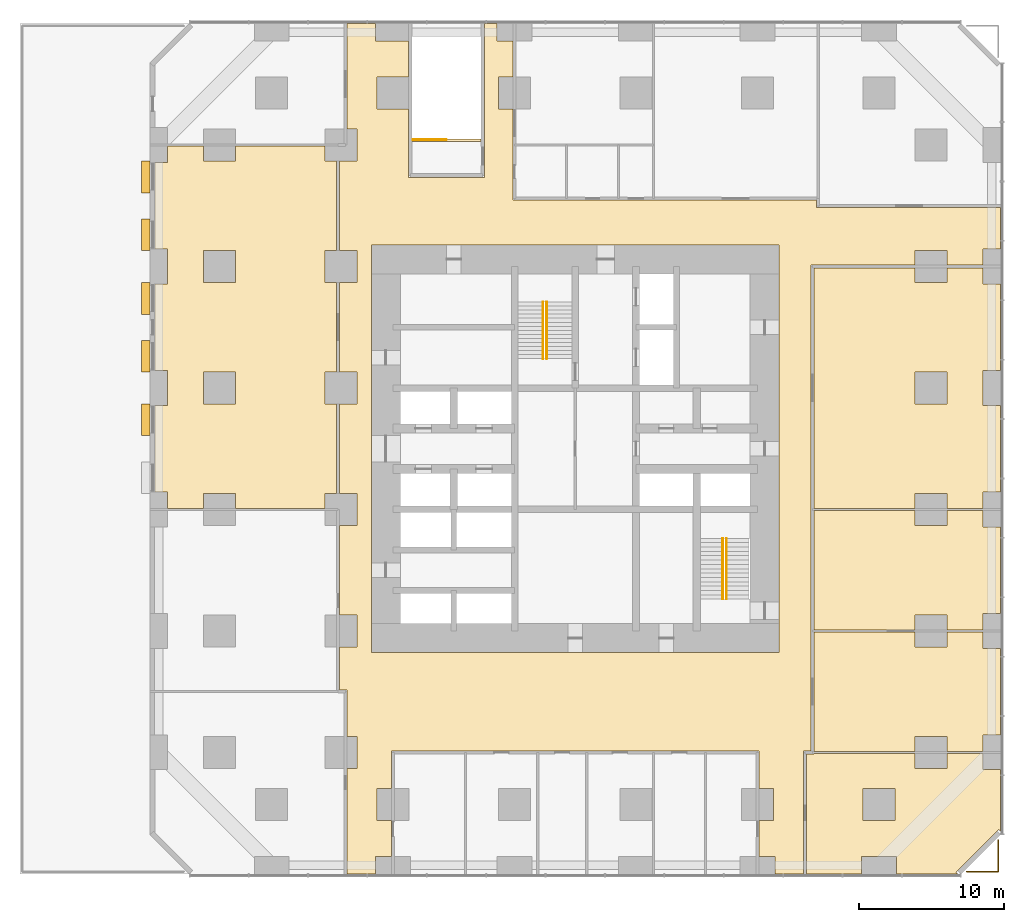
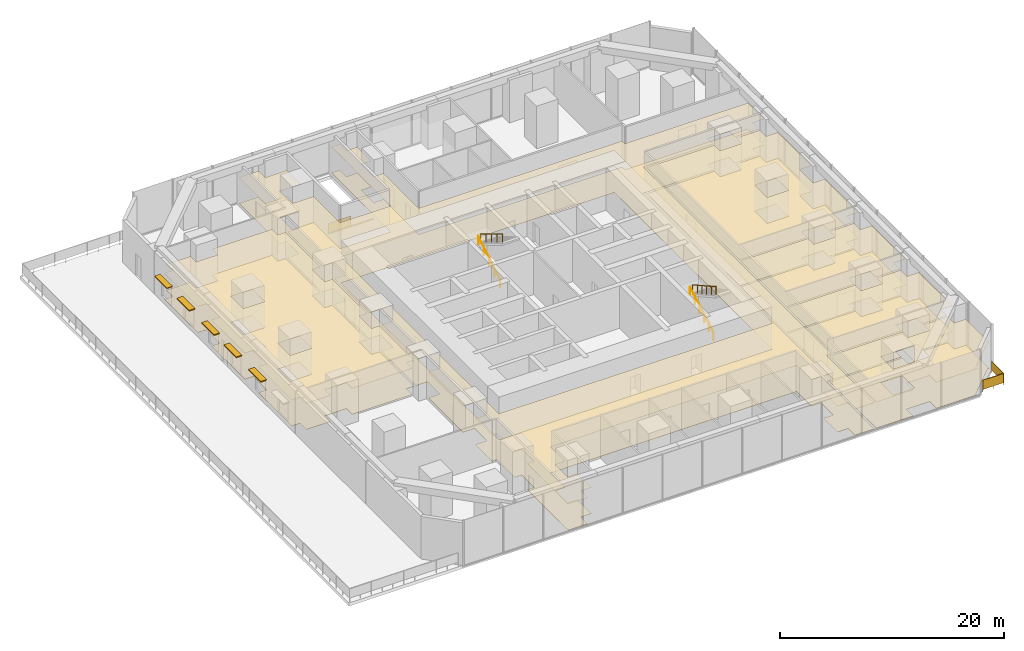
# One storey, part 11 of 12: 13 coverings, 6 railings, 5 shading devices.
"""IFC4 building model written with IfcOpenShell, lengths in metres."""

from ifc_helpers import new_model, si_unit, direction, frame, origin, origin_2d, place, context, subcontext, project, spatial, polyline, rectangle, circle, outline, extrude, material, layer, layer_set, type_object, element, save


model = new_model("IFC4")

# Units and contexts
model_context = context("Model", 3, precision=1e-05, world=origin(), true_north=direction((0.0, 1.0)))
body_context = subcontext(model_context, "Body", "Model", "MODEL_VIEW")
ifc_project = project(units=[si_unit("LENGTHUNIT", "METRE"), si_unit("AREAUNIT", "SQUARE_METRE"), si_unit("VOLUMEUNIT", "CUBIC_METRE"), si_unit("PLANEANGLEUNIT", "RADIAN"), si_unit("MASSUNIT", "GRAM", prefix="KILO")], contexts=[model_context])

# Site, building, storey
site_placement = place(None, origin())
site = spatial("IfcSite", under=ifc_project, at=site_placement, CompositionType="ELEMENT")
building_placement = place(site_placement, origin())
building = spatial("IfcBuilding", under=site, at=building_placement, Name="Dunama Terrace Hotel", CompositionType="ELEMENT")
storey_placement = place(building_placement, frame((0.0, 0.0, 22.0)))
storey = spatial("IfcBuildingStorey", under=building, at=storey_placement, Name="L04", CompositionType="ELEMENT", Elevation=22.0)

# Railings
ifc_material_1 = material(Name="Stainless steel and laminated glass guard", Category="steel")
railing_type_1 = type_object("IfcRailingType", Name="Guard 1100", PredefinedType="GUARDRAIL", material=ifc_material_1)
railing_1_placement = place(storey_placement, frame((56.4619140625, 0.14990234375, 0.220947265625)))
element("IfcRailing", 1, at=railing_1_placement, inside=storey, type_object=railing_type_1, Name="Terrace guard L04", PredefinedType="GUARDRAIL", context=body_context, shape_type="SweptSolid", body=[
    extrude(circle(Radius=0.02392578125, at=origin_2d()), frame((0.0, 0.0, 1.076171875), z_axis=(1.0, 0.0, 0.0), x_axis=(0.0, 1.0, 0.0)), (0.0, 0.0, 1.0), 2.18798828125),
    extrude(circle(Radius=0.02392578125, at=origin_2d()), frame((2.18798828125, 0.0, 1.076171875), z_axis=(0.0, 1.0, 0.0), x_axis=(-1.0, 0.0, 0.0)), (0.0, 0.0, 1.0), 2.18798828125),
    extrude(circle(Radius=0.02099609375, at=origin_2d()), frame((0.0, 0.0, -0.220947265625)), (0.0, 0.0, 1.0), 1.27294921875),
    extrude(circle(Radius=0.02099609375, at=origin_2d()), frame((1.093994140625, 0.0, -0.220947265625)), (0.0, 0.0, 1.0), 1.27294921875),
    extrude(circle(Radius=0.02099609375, at=origin_2d()), frame((2.18798828125, 0.0, -0.220947265625)), (0.0, 0.0, 1.0), 1.27294921875),
    extrude(circle(Radius=0.02099609375, at=origin_2d()), frame((2.18798828125, 1.093994140625, -0.220947265625)), (0.0, 0.0, 1.0), 1.27294921875),
    extrude(circle(Radius=0.02099609375, at=origin_2d()), frame((2.18798828125, 2.18798828125, -0.220947265625)), (0.0, 0.0, 1.0), 1.27294921875),
    extrude(outline(polyline([(0.0048828125, 0.050048828125), (1.089111328125, 0.050048828125), (1.089111328125, 1.076171875), (0.0048828125, 1.076171875), (0.0048828125, 0.050048828125)])), frame((0.0, 0.0087890625, 0.0), z_axis=(0.0, -1.0, 0.0), x_axis=(1.0, 0.0, 0.0)), (0.0, 0.0, 1.0), 0.017578125),
    extrude(outline(polyline([(0.0048828125, 0.050048828125), (1.089111328125, 0.050048828125), (1.089111328125, 1.076171875), (0.0048828125, 1.076171875), (0.0048828125, 0.050048828125)])), frame((1.093994140625, 0.0087890625, 0.0), z_axis=(0.0, -1.0, 0.0), x_axis=(1.0, 0.0, 0.0)), (0.0, 0.0, 1.0), 0.017578125),
    extrude(outline(polyline([(0.0048828125, 0.050048828125), (1.089111328125, 0.050048828125), (1.089111328125, 1.076171875), (0.0048828125, 1.076171875), (0.0048828125, 0.050048828125)])), frame((2.17919921875, 0.0, 0.0), z_axis=(1.0, 0.0, 0.0), x_axis=(0.0, 1.0, 0.0)), (0.0, 0.0, 1.0), 0.017578125),
    extrude(outline(polyline([(0.0048828125, 0.050048828125), (1.089111328125, 0.050048828125), (1.089111328125, 1.076171875), (0.0048828125, 1.076171875), (0.0048828125, 0.050048828125)])), frame((2.17919921875, 1.093994140625, 0.0), z_axis=(1.0, 0.0, 0.0), x_axis=(0.0, 1.0, 0.0)), (0.0, 0.0, 1.0), 0.017578125),
])
railing_2_placement = place(storey_placement, frame((18.175048828125, 50.77490234375, 0.030029296875)))
element("IfcRailing", 2, at=railing_2_placement, inside=storey, type_object=railing_type_1, Name="Stair well guard P5 L04", PredefinedType="GUARDRAIL", context=body_context, shape_type="SweptSolid", body=[
    extrude(circle(Radius=0.02392578125, at=origin_2d()), frame((0.0, 0.0, 1.076171875), z_axis=(1.0, 0.0, 0.0), x_axis=(0.0, 1.0, 0.0)), (0.0, 0.0, 1.0), 2.300048828125),
    extrude(circle(Radius=0.02099609375, at=origin_2d()), frame((0.0, 0.0, -0.030029296875)), (0.0, 0.0, 1.0), 1.08203125),
    extrude(circle(Radius=0.02099609375, at=origin_2d()), frame((1.14990234375, 0.0, -0.030029296875)), (0.0, 0.0, 1.0), 1.08203125),
    extrude(circle(Radius=0.02099609375, at=origin_2d()), frame((2.300048828125, 0.0, -0.030029296875)), (0.0, 0.0, 1.0), 1.08203125),
    extrude(outline(polyline([(0.0048828125, 0.050048828125), (1.14501953125, 0.050048828125), (1.14501953125, 1.076171875), (0.0048828125, 1.076171875), (0.0048828125, 0.050048828125)])), frame((0.0, 0.0087890625, 0.0), z_axis=(0.0, -1.0, 0.0), x_axis=(1.0, 0.0, 0.0)), (0.0, 0.0, 1.0), 0.017578125),
    extrude(outline(polyline([(0.0048828125, 0.050048828125), (1.14501953125, 0.050048828125), (1.14501953125, 1.076171875), (0.0048828125, 1.076171875), (0.0048828125, 0.050048828125)])), frame((1.14990234375, 0.0087890625, 0.0), z_axis=(0.0, -1.0, 0.0), x_axis=(1.0, 0.0, 0.0)), (0.0, 0.0, 1.0), 0.017578125),
])
ifc_material_2 = material(Name="Stainless steel handrail", Category="steel")
railing_type_2 = type_object("IfcRailingType", Name="Stair handrail 900", PredefinedType="HANDRAIL", material=ifc_material_2)
railing_3_placement = place(storey_placement, frame((27.175048828125, 35.625, 0.166748046875)))
element("IfcRailing", 3, at=railing_3_placement, inside=storey, type_object=railing_type_2, Name="Handrail ST1 L04", PredefinedType="HANDRAIL", context=body_context, shape_type="SweptSolid", body=[
    extrude(circle(Radius=0.02392578125, at=origin_2d()), frame((0.0, 0.0, 0.8759765625), z_axis=(0.0, 0.859296244711, 0.511478214419), x_axis=(-1.0, 0.0, 0.0)), (0.0, 0.0, 1.0), 4.561767578125),
    extrude(circle(Radius=0.02099609375, at=origin_2d()), origin(), (0.0, 0.0, 1.0), 0.851806640625),
    extrude(circle(Radius=0.02099609375, at=origin_2d()), frame((0.0, 0.97998046875, 0.583251953125)), (0.0, 0.0, 1.0), 0.851806640625),
    extrude(circle(Radius=0.02099609375, at=origin_2d()), frame((0.0, 1.9599609375, 1.16650390625)), (0.0, 0.0, 1.0), 0.851806640625),
    extrude(circle(Radius=0.02099609375, at=origin_2d()), frame((0.0, 2.93994140625, 1.75)), (0.0, 0.0, 1.0), 0.851806640625),
    extrude(circle(Radius=0.02099609375, at=origin_2d()), frame((0.0, 3.919921875, 2.333251953125)), (0.0, 0.0, 1.0), 0.851806640625),
])
railing_4_placement = place(storey_placement, frame((27.425048828125, 39.544921875, 2.666748046875)))
element("IfcRailing", 4, at=railing_4_placement, inside=storey, type_object=railing_type_2, Name="Handrail ST1 L04", PredefinedType="HANDRAIL", context=body_context, shape_type="SweptSolid", body=[
    extrude(circle(Radius=0.02392578125, at=origin_2d()), frame((0.0, 0.0, 0.8759765625), z_axis=(0.0, -0.859296244711, 0.511478214419), x_axis=(1.0, 0.0, 0.0)), (0.0, 0.0, 1.0), 4.561767578125),
    extrude(circle(Radius=0.02099609375, at=origin_2d()), origin(), (0.0, 0.0, 1.0), 0.851806640625),
    extrude(circle(Radius=0.02099609375, at=origin_2d()), frame((0.0, -0.97998046875, 0.583251953125)), (0.0, 0.0, 1.0), 0.851806640625),
    extrude(circle(Radius=0.02099609375, at=origin_2d()), frame((0.0, -1.9599609375, 1.16650390625)), (0.0, 0.0, 1.0), 0.851806640625),
    extrude(circle(Radius=0.02099609375, at=origin_2d()), frame((0.0, -2.93994140625, 1.75)), (0.0, 0.0, 1.0), 0.851806640625),
    extrude(circle(Radius=0.02099609375, at=origin_2d()), frame((0.0, -3.919921875, 2.333251953125)), (0.0, 0.0, 1.0), 0.851806640625),
])
railing_5_placement = place(storey_placement, frame((39.60009765625, 19.0, 0.166748046875)))
element("IfcRailing", 5, at=railing_5_placement, inside=storey, type_object=railing_type_2, Name="Handrail ST2 L04", PredefinedType="HANDRAIL", context=body_context, shape_type="SweptSolid", body=[
    extrude(circle(Radius=0.02392578125, at=origin_2d()), frame((0.0, 0.0, 0.8759765625), z_axis=(0.0, 0.874162069901, 0.485634302275), x_axis=(-1.0, 0.0, 0.0)), (0.0, 0.0, 1.0), 4.804443359375),
    extrude(circle(Radius=0.02099609375, at=origin_2d()), origin(), (0.0, 0.0, 1.0), 0.851806640625),
    extrude(circle(Radius=0.02099609375, at=origin_2d()), frame((0.0, 0.840087890625, 0.466552734375)), (0.0, 0.0, 1.0), 0.851806640625),
    extrude(circle(Radius=0.02099609375, at=origin_2d()), frame((0.0, 1.679931640625, 0.933349609375)), (0.0, 0.0, 1.0), 0.851806640625),
    extrude(circle(Radius=0.02099609375, at=origin_2d()), frame((0.0, 2.52001953125, 1.39990234375)), (0.0, 0.0, 1.0), 0.851806640625),
    extrude(circle(Radius=0.02099609375, at=origin_2d()), frame((0.0, 3.35986328125, 1.86669921875)), (0.0, 0.0, 1.0), 0.851806640625),
    extrude(circle(Radius=0.02099609375, at=origin_2d()), frame((0.0, 4.199951171875, 2.333251953125)), (0.0, 0.0, 1.0), 0.851806640625),
])
railing_6_placement = place(storey_placement, frame((39.85009765625, 23.199951171875, 2.666748046875)))
element("IfcRailing", 6, at=railing_6_placement, inside=storey, type_object=railing_type_2, Name="Handrail ST2 L04", PredefinedType="HANDRAIL", context=body_context, shape_type="SweptSolid", body=[
    extrude(circle(Radius=0.02392578125, at=origin_2d()), frame((0.0, 0.0, 0.8759765625), z_axis=(0.0, -0.874162069901, 0.485634302275), x_axis=(1.0, 0.0, 0.0)), (0.0, 0.0, 1.0), 4.804443359375),
    extrude(circle(Radius=0.02099609375, at=origin_2d()), origin(), (0.0, 0.0, 1.0), 0.851806640625),
    extrude(circle(Radius=0.02099609375, at=origin_2d()), frame((0.0, -0.840087890625, 0.466552734375)), (0.0, 0.0, 1.0), 0.851806640625),
    extrude(circle(Radius=0.02099609375, at=origin_2d()), frame((0.0, -1.679931640625, 0.933349609375)), (0.0, 0.0, 1.0), 0.851806640625),
    extrude(circle(Radius=0.02099609375, at=origin_2d()), frame((0.0, -2.52001953125, 1.39990234375)), (0.0, 0.0, 1.0), 0.851806640625),
    extrude(circle(Radius=0.02099609375, at=origin_2d()), frame((0.0, -3.35986328125, 1.86669921875)), (0.0, 0.0, 1.0), 0.851806640625),
    extrude(circle(Radius=0.02099609375, at=origin_2d()), frame((0.0, -4.199951171875, 2.333251953125)), (0.0, 0.0, 1.0), 0.851806640625),
])

# Coverings
ifc_material_3 = material(Name="Natural stone floor tiles", Category="masonry")
ifc_layer_1 = layer(ifc_material_3, 0.030029296875)
ifc_layer_set_1 = layer_set([ifc_layer_1], Name="Stone floor finish 30")
covering_type_1 = type_object("IfcCoveringType", Name="Stone floor finish 30", PredefinedType="FLOORING", material=ifc_layer_set_1)
covering_1_placement = place(storey_placement, origin())
element("IfcCovering", 7, at=covering_1_placement, inside=storey, type_object=covering_type_1, Name="Stair threshold P5 L04", PredefinedType="FLOORING", context=body_context, shape_type="SweptSolid", body=[
    extrude(outline(polyline([(22.875, 50.659912109375), (22.875, 50.824951171875), (18.125, 50.824951171875), (18.125, 50.659912109375), (22.875, 50.659912109375)])), origin(), (0.0, 0.0, 1.0), 0.030029296875),
])
covering_2_placement = place(storey_placement, origin())
element("IfcCovering", 8, at=covering_2_placement, inside=storey, type_object=covering_type_1, Name="Floor finish L04-17", PredefinedType="FLOORING", context=body_context, shape_type="SweptSolid", body=[
    extrude(outline(polyline([(1.199951171875, 25.27490234375), (3.699951171875, 25.27490234375), (3.699951171875, 26.300048828125), (5.89990234375, 26.300048828125), (5.89990234375, 25.27490234375), (12.10009765625, 25.27490234375), (12.10009765625, 26.300048828125), (12.89990234375, 26.300048828125), (12.89990234375, 32.5), (12.10009765625, 32.5), (12.10009765625, 34.699951171875), (12.89990234375, 34.699951171875), (12.89990234375, 40.89990234375), (12.10009765625, 40.89990234375), (12.10009765625, 43.10009765625), (12.89990234375, 43.10009765625), (12.89990234375, 49.300048828125), (12.10009765625, 49.300048828125), (12.10009765625, 50.324951171875), (5.89990234375, 50.324951171875), (5.89990234375, 49.300048828125), (3.699951171875, 49.300048828125), (3.699951171875, 50.324951171875), (1.199951171875, 50.324951171875), (1.199951171875, 49.199951171875), (0.35009765625, 49.199951171875), (0.35009765625, 43.199951171875), (1.199951171875, 43.199951171875), (1.199951171875, 40.800048828125), (0.35009765625, 40.800048828125), (0.35009765625, 34.800048828125), (1.199951171875, 34.800048828125), (1.199951171875, 32.39990234375), (0.35009765625, 32.39990234375), (0.35009765625, 26.39990234375), (1.199951171875, 26.39990234375), (1.199951171875, 25.27490234375)]), holes=[polyline([(3.699951171875, 34.699951171875), (5.89990234375, 34.699951171875), (5.89990234375, 32.5), (3.699951171875, 32.5), (3.699951171875, 34.699951171875)]), polyline([(3.699951171875, 43.10009765625), (5.89990234375, 43.10009765625), (5.89990234375, 40.89990234375), (3.699951171875, 40.89990234375), (3.699951171875, 43.10009765625)])]), origin(), (0.0, 0.0, 1.0), 0.030029296875),
])
covering_3_placement = place(storey_placement, origin())
element("IfcCovering", 9, at=covering_3_placement, inside=storey, type_object=covering_type_1, Name="Floor finish L04-18", PredefinedType="FLOORING", context=body_context, shape_type="SweptSolid", body=[
    extrude(outline(polyline([(58.800048828125, 34.800048828125), (58.800048828125, 40.800048828125), (57.60009765625, 40.800048828125), (57.60009765625, 41.89990234375), (55.10009765625, 41.89990234375), (55.10009765625, 40.89990234375), (52.89990234375, 40.89990234375), (52.89990234375, 41.89990234375), (45.89990234375, 41.89990234375), (45.89990234375, 25.27490234375), (52.89990234375, 25.27490234375), (52.89990234375, 26.300048828125), (55.10009765625, 26.300048828125), (55.10009765625, 25.27490234375), (57.60009765625, 25.27490234375), (57.60009765625, 26.39990234375), (58.800048828125, 26.39990234375), (58.800048828125, 32.39990234375), (57.60009765625, 32.39990234375), (57.60009765625, 34.800048828125), (58.800048828125, 34.800048828125)]), holes=[polyline([(52.89990234375, 34.699951171875), (55.10009765625, 34.699951171875), (55.10009765625, 32.5), (52.89990234375, 32.5), (52.89990234375, 34.699951171875)])]), origin(), (0.0, 0.0, 1.0), 0.030029296875),
])
covering_4_placement = place(storey_placement, origin())
element("IfcCovering", 10, at=covering_4_placement, inside=storey, type_object=covering_type_1, Name="Floor finish L04-21", PredefinedType="FLOORING", context=body_context, shape_type="SweptSolid", body=[
    extrude(outline(polyline([(58.800048828125, 9.60009765625), (58.800048828125, 15.60009765625), (57.60009765625, 15.60009765625), (57.60009765625, 16.72509765625), (55.10009765625, 16.72509765625), (55.10009765625, 15.699951171875), (52.89990234375, 15.699951171875), (52.89990234375, 16.72509765625), (45.89990234375, 16.72509765625), (45.89990234375, 8.5), (45.89990234375, 8.47509765625), (52.89990234375, 8.47509765625), (52.89990234375, 9.5), (55.10009765625, 9.5), (55.10009765625, 8.47509765625), (57.60009765625, 8.47509765625), (57.60009765625, 9.60009765625), (58.800048828125, 9.60009765625)])), origin(), (0.0, 0.0, 1.0), 0.030029296875),
])
covering_5_placement = place(storey_placement, origin())
element("IfcCovering", 11, at=covering_5_placement, inside=storey, type_object=covering_type_1, Name="Floor finish L04-22", PredefinedType="FLOORING", context=body_context, shape_type="SweptSolid", body=[
    extrude(outline(polyline([(58.800048828125, 18.0), (58.800048828125, 24.0), (57.60009765625, 24.0), (57.60009765625, 25.125), (55.10009765625, 25.125), (55.10009765625, 24.10009765625), (52.89990234375, 24.10009765625), (52.89990234375, 25.125), (45.89990234375, 25.125), (45.89990234375, 16.875), (52.89990234375, 16.875), (52.89990234375, 17.89990234375), (55.10009765625, 17.89990234375), (55.10009765625, 16.875), (57.60009765625, 16.875), (57.60009765625, 18.0), (58.800048828125, 18.0)])), origin(), (0.0, 0.0, 1.0), 0.030029296875),
])
covering_6_placement = place(storey_placement, origin())
element("IfcCovering", 12, at=covering_6_placement, inside=storey, type_object=covering_type_1, Name="Floor finish L04-32", PredefinedType="FLOORING", context=body_context, shape_type="SweptSolid", body=[
    extrude(outline(polyline([(51.60009765625, 0.0), (55.8525390625, 0.0), (55.728515625, 0.1240234375), (58.55224609375, 2.94775390625), (58.676025390625, 3.071533203125), (58.800048828125, 2.947509765625), (58.800048828125, 7.199951171875), (57.60009765625, 7.199951171875), (57.60009765625, 8.324951171875), (55.10009765625, 8.324951171875), (55.10009765625, 7.300048828125), (52.89990234375, 7.300048828125), (52.89990234375, 8.324951171875), (45.89990234375, 8.324951171875), (45.89990234375, 8.300048828125), (45.699951171875, 8.300048828125), (45.39990234375, 8.300048828125), (45.39990234375, 0.0), (49.199951171875, 0.0), (49.199951171875, 1.199951171875), (51.60009765625, 1.199951171875), (51.60009765625, 0.0)]), holes=[polyline([(49.300048828125, 5.89990234375), (51.5, 5.89990234375), (51.5, 3.699951171875), (49.300048828125, 3.699951171875), (49.300048828125, 5.89990234375)])]), origin(), (0.0, 0.0, 1.0), 0.030029296875),
])
covering_7_placement = place(storey_placement, origin())
element("IfcCovering", 13, at=covering_7_placement, inside=storey, type_object=covering_type_1, Name="Floor finish L04-37", PredefinedType="FLOORING", context=body_context, shape_type="SweptSolid", body=[
    extrude(outline(polyline([(15.60009765625, 58.800048828125), (13.60009765625, 58.800048828125), (13.60009765625, 51.5), (14.300048828125, 51.5), (14.300048828125, 49.300048828125), (13.10009765625, 49.300048828125), (13.10009765625, 43.10009765625), (14.300048828125, 43.10009765625), (14.300048828125, 40.89990234375), (13.10009765625, 40.89990234375), (13.10009765625, 34.699951171875), (14.300048828125, 34.699951171875), (14.300048828125, 32.5), (13.10009765625, 32.5), (13.10009765625, 26.300048828125), (14.300048828125, 26.300048828125), (14.300048828125, 24.10009765625), (13.10009765625, 24.10009765625), (13.10009765625, 17.89990234375), (14.300048828125, 17.89990234375), (14.300048828125, 15.699951171875), (13.10009765625, 15.699951171875), (13.10009765625, 12.699951171875), (13.39990234375, 12.699951171875), (13.5, 12.699951171875), (13.60009765625, 12.699951171875), (13.60009765625, 12.5), (13.60009765625, 9.5), (14.300048828125, 9.5), (14.300048828125, 7.300048828125), (13.60009765625, 7.300048828125), (13.60009765625, 0.0), (15.60009765625, 0.0), (15.60009765625, 1.199951171875), (16.699951171875, 1.199951171875), (16.699951171875, 3.699951171875), (15.699951171875, 3.699951171875), (15.699951171875, 5.89990234375), (16.699951171875, 5.89990234375), (16.699951171875, 8.300048828125), (16.699951171875, 8.39990234375), (16.699951171875, 8.5), (16.89990234375, 8.5), (41.89990234375, 8.5), (42.0, 8.5), (42.10009765625, 8.5), (42.10009765625, 8.300048828125), (42.10009765625, 5.89990234375), (43.10009765625, 5.89990234375), (43.10009765625, 3.699951171875), (42.10009765625, 3.699951171875), (42.10009765625, 1.199951171875), (43.199951171875, 1.199951171875), (43.199951171875, 0.0), (45.199951171875, 0.0), (45.199951171875, 8.300048828125), (45.199951171875, 8.39990234375), (45.199951171875, 8.5), (45.39990234375, 8.5), (45.699951171875, 8.5), (45.699951171875, 41.89990234375), (45.699951171875, 42.0), (45.699951171875, 42.10009765625), (45.89990234375, 42.10009765625), (52.89990234375, 42.10009765625), (52.89990234375, 43.10009765625), (55.10009765625, 43.10009765625), (55.10009765625, 42.10009765625), (57.60009765625, 42.10009765625), (57.60009765625, 43.199951171875), (58.800048828125, 43.199951171875), (58.800048828125, 46.10009765625), (46.300048828125, 46.10009765625), (46.199951171875, 46.10009765625), (46.10009765625, 46.10009765625), (46.10009765625, 46.300048828125), (46.10009765625, 46.60009765625), (25.300048828125, 46.60009765625), (25.199951171875, 46.60009765625), (25.10009765625, 46.60009765625), (25.10009765625, 46.800048828125), (25.10009765625, 52.89990234375), (24.10009765625, 52.89990234375), (24.10009765625, 55.10009765625), (25.10009765625, 55.10009765625), (25.10009765625, 57.60009765625), (24.0, 57.60009765625), (24.0, 58.800048828125), (23.125, 58.800048828125), (23.125, 48.425048828125), (23.125, 48.300048828125), (23.125, 48.175048828125), (22.875, 48.175048828125), (18.125, 48.175048828125), (18.0, 48.175048828125), (17.875, 48.175048828125), (17.875, 48.425048828125), (17.875, 52.89990234375), (15.699951171875, 52.89990234375), (15.699951171875, 55.10009765625), (17.875, 55.10009765625), (17.875, 57.60009765625), (15.60009765625, 57.60009765625), (15.60009765625, 58.800048828125)]), holes=[polyline([(17.300048828125, 15.300048828125), (16.300048828125, 15.300048828125), (15.300048828125, 15.300048828125), (15.300048828125, 17.300048828125), (15.300048828125, 41.5), (15.300048828125, 42.5), (15.300048828125, 43.5), (17.300048828125, 43.5), (41.5, 43.5), (42.5, 43.5), (43.5, 43.5), (43.5, 41.5), (43.5, 17.300048828125), (43.5, 16.300048828125), (43.5, 15.300048828125), (41.5, 15.300048828125), (17.300048828125, 15.300048828125)])]), origin(), (0.0, 0.0, 1.0), 0.030029296875),
])

# Shading devices
ifc_material_4 = material(Name="Precast stone sunshade", Category="masonry")
ifc_layer_2 = layer(ifc_material_4, 0.10009765625)
ifc_layer_set_2 = layer_set([ifc_layer_2], Name="Stone sunshade 600")
shading_device_type = type_object("IfcShadingDeviceType", Name="Stone sunshade 600", PredefinedType="USERDEFINED", material=ifc_layer_set_2)
for number, where, z_axis, x_axis, name in (
    (14, (-0.300048828125, 31.39990234375, 2.75), (0.0, 0.0, 1.0), (0.0, -1.0, 0.0), "Sunshade L04"),
    (15, (-0.300048828125, 35.800048828125, 2.75), (0.0, 0.0, 1.0), (0.0, -1.0, 0.0), "Sunshade L04"),
    (16, (-0.300048828125, 39.800048828125, 2.75), (0.0, 0.0, 1.0), (0.0, -1.0, 0.0), "Sunshade L04"),
    (17, (-0.300048828125, 44.199951171875, 2.75), (0.0, 0.0, 1.0), (0.0, -1.0, 0.0), "Sunshade L04"),
    (18, (-0.300048828125, 48.199951171875, 2.75), (0.0, 0.0, 1.0), (0.0, -1.0, 0.0), "Sunshade L04"),
):
    element("IfcShadingDevice", number, at=place(storey_placement, frame(where, z_axis=z_axis, x_axis=x_axis)), inside=storey, type_object=shading_device_type, Name=name, ObjectType="SUNSHADE", PredefinedType="USERDEFINED", context=body_context, shape_type="SweptSolid", body=[
        extrude(rectangle(XDim=2.199951171875, YDim=0.60009765625, at=origin_2d()), origin(), (0.0, 0.0, 1.0), 0.10009765625),
    ])

# Coverings
ifc_material_5 = material(Name="Gypsum plasterboard ceiling")
ifc_layer_3 = layer(ifc_material_5, 0.02001953125)
ifc_layer_set_3 = layer_set([ifc_layer_3], Name="Suspended ceiling 20")
covering_type_2 = type_object("IfcCoveringType", Name="Suspended ceiling 20", PredefinedType="CEILING", material=ifc_layer_set_3)
covering_8_placement = place(storey_placement, frame((0.0, 0.0, 2.85009765625)))
element("IfcCovering", 19, at=covering_8_placement, inside=storey, type_object=covering_type_2, Name="Ceiling L04-17", PredefinedType="CEILING", context=body_context, shape_type="SweptSolid", body=[
    extrude(outline(polyline([(1.199951171875, 26.39990234375), (1.199951171875, 25.27490234375), (3.699951171875, 25.27490234375), (3.699951171875, 26.300048828125), (5.89990234375, 26.300048828125), (5.89990234375, 25.27490234375), (12.10009765625, 25.27490234375), (12.10009765625, 26.300048828125), (12.89990234375, 26.300048828125), (12.89990234375, 32.5), (12.10009765625, 32.5), (12.10009765625, 34.699951171875), (12.89990234375, 34.699951171875), (12.89990234375, 40.89990234375), (12.10009765625, 40.89990234375), (12.10009765625, 43.10009765625), (12.89990234375, 43.10009765625), (12.89990234375, 49.300048828125), (12.10009765625, 49.300048828125), (12.10009765625, 50.324951171875), (5.89990234375, 50.324951171875), (5.89990234375, 49.300048828125), (3.699951171875, 49.300048828125), (3.699951171875, 50.324951171875), (1.199951171875, 50.324951171875), (1.199951171875, 49.199951171875), (0.35009765625, 49.199951171875), (0.35009765625, 43.199951171875), (1.199951171875, 43.199951171875), (1.199951171875, 40.800048828125), (0.35009765625, 40.800048828125), (0.35009765625, 34.800048828125), (1.199951171875, 34.800048828125), (1.199951171875, 32.39990234375), (0.35009765625, 32.39990234375), (0.35009765625, 26.39990234375), (1.199951171875, 26.39990234375)]), holes=[polyline([(3.699951171875, 32.5), (3.699951171875, 34.699951171875), (5.89990234375, 34.699951171875), (5.89990234375, 32.5), (3.699951171875, 32.5)]), polyline([(3.699951171875, 40.89990234375), (3.699951171875, 43.10009765625), (5.89990234375, 43.10009765625), (5.89990234375, 40.89990234375), (3.699951171875, 40.89990234375)])]), origin(), (0.0, 0.0, 1.0), 0.02001953125),
])
covering_9_placement = place(storey_placement, frame((0.0, 0.0, 2.85009765625)))
element("IfcCovering", 20, at=covering_9_placement, inside=storey, type_object=covering_type_2, Name="Ceiling L04-18", PredefinedType="CEILING", context=body_context, shape_type="SweptSolid", body=[
    extrude(outline(polyline([(57.60009765625, 34.800048828125), (58.800048828125, 34.800048828125), (58.800048828125, 40.800048828125), (57.60009765625, 40.800048828125), (57.60009765625, 41.89990234375), (55.10009765625, 41.89990234375), (55.10009765625, 40.89990234375), (52.89990234375, 40.89990234375), (52.89990234375, 41.89990234375), (45.89990234375, 41.89990234375), (45.89990234375, 25.27490234375), (52.89990234375, 25.27490234375), (52.89990234375, 26.300048828125), (55.10009765625, 26.300048828125), (55.10009765625, 25.27490234375), (57.60009765625, 25.27490234375), (57.60009765625, 26.39990234375), (58.800048828125, 26.39990234375), (58.800048828125, 32.39990234375), (57.60009765625, 32.39990234375), (57.60009765625, 34.800048828125)]), holes=[polyline([(52.89990234375, 32.5), (52.89990234375, 34.699951171875), (55.10009765625, 34.699951171875), (55.10009765625, 32.5), (52.89990234375, 32.5)])]), origin(), (0.0, 0.0, 1.0), 0.02001953125),
])
covering_10_placement = place(storey_placement, frame((0.0, 0.0, 2.85009765625)))
element("IfcCovering", 21, at=covering_10_placement, inside=storey, type_object=covering_type_2, Name="Ceiling L04-21", PredefinedType="CEILING", context=body_context, shape_type="SweptSolid", body=[
    extrude(outline(polyline([(57.60009765625, 9.60009765625), (58.800048828125, 9.60009765625), (58.800048828125, 15.60009765625), (57.60009765625, 15.60009765625), (57.60009765625, 16.72509765625), (55.10009765625, 16.72509765625), (55.10009765625, 15.699951171875), (52.89990234375, 15.699951171875), (52.89990234375, 16.72509765625), (45.89990234375, 16.72509765625), (45.89990234375, 8.5), (45.89990234375, 8.47509765625), (52.89990234375, 8.47509765625), (52.89990234375, 9.5), (55.10009765625, 9.5), (55.10009765625, 8.47509765625), (57.60009765625, 8.47509765625), (57.60009765625, 9.60009765625)])), origin(), (0.0, 0.0, 1.0), 0.02001953125),
])
covering_11_placement = place(storey_placement, frame((0.0, 0.0, 2.85009765625)))
element("IfcCovering", 22, at=covering_11_placement, inside=storey, type_object=covering_type_2, Name="Ceiling L04-22", PredefinedType="CEILING", context=body_context, shape_type="SweptSolid", body=[
    extrude(outline(polyline([(57.60009765625, 18.0), (58.800048828125, 18.0), (58.800048828125, 24.0), (57.60009765625, 24.0), (57.60009765625, 25.125), (55.10009765625, 25.125), (55.10009765625, 24.10009765625), (52.89990234375, 24.10009765625), (52.89990234375, 25.125), (45.89990234375, 25.125), (45.89990234375, 16.875), (52.89990234375, 16.875), (52.89990234375, 17.89990234375), (55.10009765625, 17.89990234375), (55.10009765625, 16.875), (57.60009765625, 16.875), (57.60009765625, 18.0)])), origin(), (0.0, 0.0, 1.0), 0.02001953125),
])
covering_12_placement = place(storey_placement, frame((0.0, 0.0, 2.85009765625)))
element("IfcCovering", 23, at=covering_12_placement, inside=storey, type_object=covering_type_2, Name="Ceiling L04-32", PredefinedType="CEILING", context=body_context, shape_type="SweptSolid", body=[
    extrude(outline(polyline([(51.60009765625, 1.199951171875), (51.60009765625, 0.0), (55.8525390625, 0.0), (55.728515625, 0.1240234375), (58.55224609375, 2.94775390625), (58.676025390625, 3.071533203125), (58.800048828125, 2.947509765625), (58.800048828125, 7.199951171875), (57.60009765625, 7.199951171875), (57.60009765625, 8.324951171875), (55.10009765625, 8.324951171875), (55.10009765625, 7.300048828125), (52.89990234375, 7.300048828125), (52.89990234375, 8.324951171875), (45.89990234375, 8.324951171875), (45.89990234375, 8.300048828125), (45.699951171875, 8.300048828125), (45.39990234375, 8.300048828125), (45.39990234375, 0.0), (49.199951171875, 0.0), (49.199951171875, 1.199951171875), (51.60009765625, 1.199951171875)]), holes=[polyline([(49.300048828125, 3.699951171875), (49.300048828125, 5.89990234375), (51.5, 5.89990234375), (51.5, 3.699951171875), (49.300048828125, 3.699951171875)])]), origin(), (0.0, 0.0, 1.0), 0.02001953125),
])
covering_13_placement = place(storey_placement, frame((0.0, 0.0, 2.85009765625)))
element("IfcCovering", 24, at=covering_13_placement, inside=storey, type_object=covering_type_2, Name="Ceiling L04-37", PredefinedType="CEILING", context=body_context, shape_type="SweptSolid", body=[
    extrude(outline(polyline([(15.60009765625, 57.60009765625), (15.60009765625, 58.800048828125), (13.60009765625, 58.800048828125), (13.60009765625, 51.5), (14.300048828125, 51.5), (14.300048828125, 49.300048828125), (13.10009765625, 49.300048828125), (13.10009765625, 43.10009765625), (14.300048828125, 43.10009765625), (14.300048828125, 40.89990234375), (13.10009765625, 40.89990234375), (13.10009765625, 34.699951171875), (14.300048828125, 34.699951171875), (14.300048828125, 32.5), (13.10009765625, 32.5), (13.10009765625, 26.300048828125), (14.300048828125, 26.300048828125), (14.300048828125, 24.10009765625), (13.10009765625, 24.10009765625), (13.10009765625, 17.89990234375), (14.300048828125, 17.89990234375), (14.300048828125, 15.699951171875), (13.10009765625, 15.699951171875), (13.10009765625, 12.699951171875), (13.39990234375, 12.699951171875), (13.5, 12.699951171875), (13.60009765625, 12.699951171875), (13.60009765625, 12.5), (13.60009765625, 9.5), (14.300048828125, 9.5), (14.300048828125, 7.300048828125), (13.60009765625, 7.300048828125), (13.60009765625, 0.0), (15.60009765625, 0.0), (15.60009765625, 1.199951171875), (16.699951171875, 1.199951171875), (16.699951171875, 3.699951171875), (15.699951171875, 3.699951171875), (15.699951171875, 5.89990234375), (16.699951171875, 5.89990234375), (16.699951171875, 8.300048828125), (16.699951171875, 8.39990234375), (16.699951171875, 8.5), (16.89990234375, 8.5), (41.89990234375, 8.5), (42.0, 8.5), (42.10009765625, 8.5), (42.10009765625, 8.300048828125), (42.10009765625, 5.89990234375), (43.10009765625, 5.89990234375), (43.10009765625, 3.699951171875), (42.10009765625, 3.699951171875), (42.10009765625, 1.199951171875), (43.199951171875, 1.199951171875), (43.199951171875, 0.0), (45.199951171875, 0.0), (45.199951171875, 8.300048828125), (45.199951171875, 8.39990234375), (45.199951171875, 8.5), (45.39990234375, 8.5), (45.699951171875, 8.5), (45.699951171875, 41.89990234375), (45.699951171875, 42.0), (45.699951171875, 42.10009765625), (45.89990234375, 42.10009765625), (52.89990234375, 42.10009765625), (52.89990234375, 43.10009765625), (55.10009765625, 43.10009765625), (55.10009765625, 42.10009765625), (57.60009765625, 42.10009765625), (57.60009765625, 43.199951171875), (58.800048828125, 43.199951171875), (58.800048828125, 46.10009765625), (46.300048828125, 46.10009765625), (46.199951171875, 46.10009765625), (46.10009765625, 46.10009765625), (46.10009765625, 46.300048828125), (46.10009765625, 46.60009765625), (25.300048828125, 46.60009765625), (25.199951171875, 46.60009765625), (25.10009765625, 46.60009765625), (25.10009765625, 46.800048828125), (25.10009765625, 52.89990234375), (24.10009765625, 52.89990234375), (24.10009765625, 55.10009765625), (25.10009765625, 55.10009765625), (25.10009765625, 57.60009765625), (24.0, 57.60009765625), (24.0, 58.800048828125), (23.125, 58.800048828125), (23.125, 48.425048828125), (23.125, 48.300048828125), (23.125, 48.175048828125), (22.875, 48.175048828125), (18.125, 48.175048828125), (18.0, 48.175048828125), (17.875, 48.175048828125), (17.875, 48.425048828125), (17.875, 52.89990234375), (15.699951171875, 52.89990234375), (15.699951171875, 55.10009765625), (17.875, 55.10009765625), (17.875, 57.60009765625), (15.60009765625, 57.60009765625)]), holes=[polyline([(41.5, 15.300048828125), (17.300048828125, 15.300048828125), (16.300048828125, 15.300048828125), (15.300048828125, 15.300048828125), (15.300048828125, 17.300048828125), (15.300048828125, 41.5), (15.300048828125, 42.5), (15.300048828125, 43.5), (17.300048828125, 43.5), (41.5, 43.5), (42.5, 43.5), (43.5, 43.5), (43.5, 41.5), (43.5, 17.300048828125), (43.5, 16.300048828125), (43.5, 15.300048828125), (41.5, 15.300048828125)])]), origin(), (0.0, 0.0, 1.0), 0.02001953125),
])

save(model, "model.ifc")
